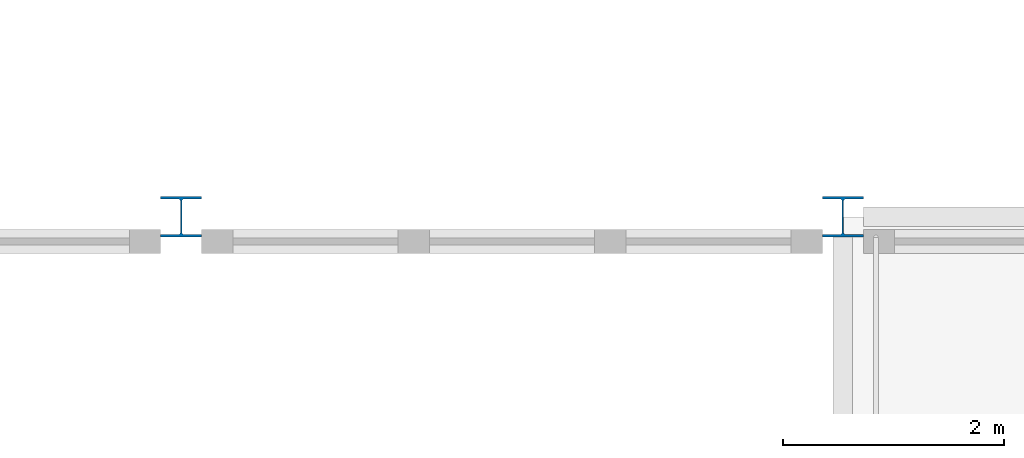
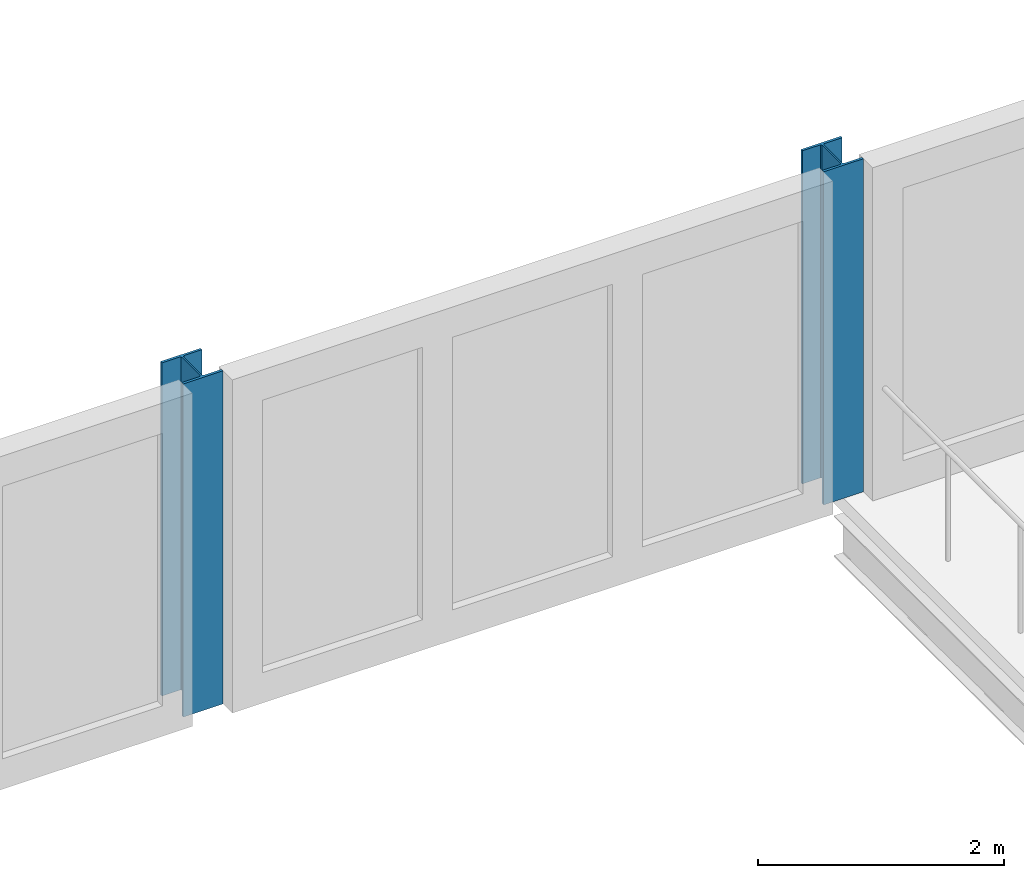
# One storey, part 5 of 214: 2 columns.
"""IFC4 building model written with IfcOpenShell, lengths in metres."""

from ifc_helpers import new_model, si_unit, direction, frame, origin, origin_2d, place, context, subcontext, project, spatial, i_section, extrude, material, material_profile, profile_set, type_object, element, save


model = new_model("IFC4")

# Units and contexts
model_context = context("Model", 3, precision=1e-05, world=origin(), true_north=direction((0.0, 1.0)))
body_context = subcontext(model_context, "Body", "Model", "MODEL_VIEW")
ifc_project = project(units=[si_unit("LENGTHUNIT", "METRE"), si_unit("AREAUNIT", "SQUARE_METRE"), si_unit("VOLUMEUNIT", "CUBIC_METRE"), si_unit("PLANEANGLEUNIT", "RADIAN"), si_unit("MASSUNIT", "GRAM", prefix="KILO")], contexts=[model_context])

# Site, building, storey
site_placement = place(None, origin())
site = spatial("IfcSite", under=ifc_project, at=site_placement, CompositionType="ELEMENT")
building_placement = place(site_placement, origin())
building = spatial("IfcBuilding", under=site, at=building_placement, Name="Parallax Yard Mobility Hub", CompositionType="ELEMENT")
storey_placement = place(building_placement, frame((0.0, 0.0, 3.300048828125)))
storey = spatial("IfcBuildingStorey", under=building, at=storey_placement, Name="L01", CompositionType="ELEMENT", Elevation=3.300048828125)

# Columns
ifc_material = material(Name="Steel ASTM A992", Category="steel")
ifc_material_profile = material_profile(ifc_material, i_section(OverallWidth=0.373046875, OverallDepth=0.367919921875, WebThickness=0.014892578125, FlangeThickness=0.02392578125, FilletRadius=0.01513671875, at=origin_2d()), Name="W360x179")
ifc_profile_set = profile_set([ifc_material_profile], Name="Steel ASTM A992")
column_type = type_object("IfcColumnType", Name="W360x179 column", PredefinedType="COLUMN", material=ifc_profile_set)
for number, where, z_axis, x_axis, name in (
    (1, (63.0, 52.5, 0.0), (0.0, 0.0, 1.0), (1.0, 0.0, 0.0), "Column C7 level L01 at F10/H of bus and taxi deck"),
    (2, (69.0, 52.5, 0.0), (0.0, 0.0, 1.0), (1.0, 0.0, 0.0), "Column C7 level L01 at F11/H of bus and taxi deck"),
):
    element("IfcColumn", number, at=place(storey_placement, frame(where, z_axis=z_axis, x_axis=x_axis)), inside=storey, type_object=column_type, Name=name, PredefinedType="COLUMN", context=body_context, shape_type="SweptSolid", body=[
        extrude(i_section(OverallWidth=0.373046875, OverallDepth=0.367919921875, WebThickness=0.014892578125, FlangeThickness=0.02392578125, FilletRadius=0.01513671875, at=origin_2d()), origin(), (0.0, 0.0, 1.0), 3.300048828125),
    ])

save(model, "model.ifc")
